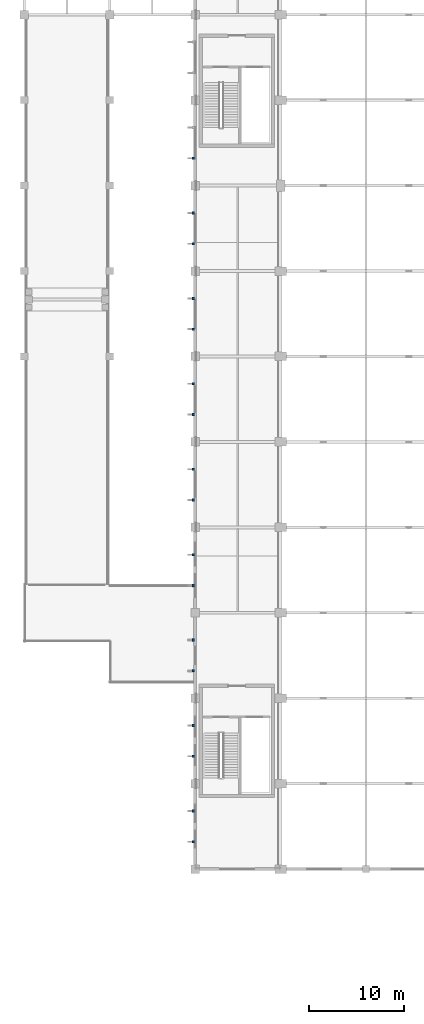
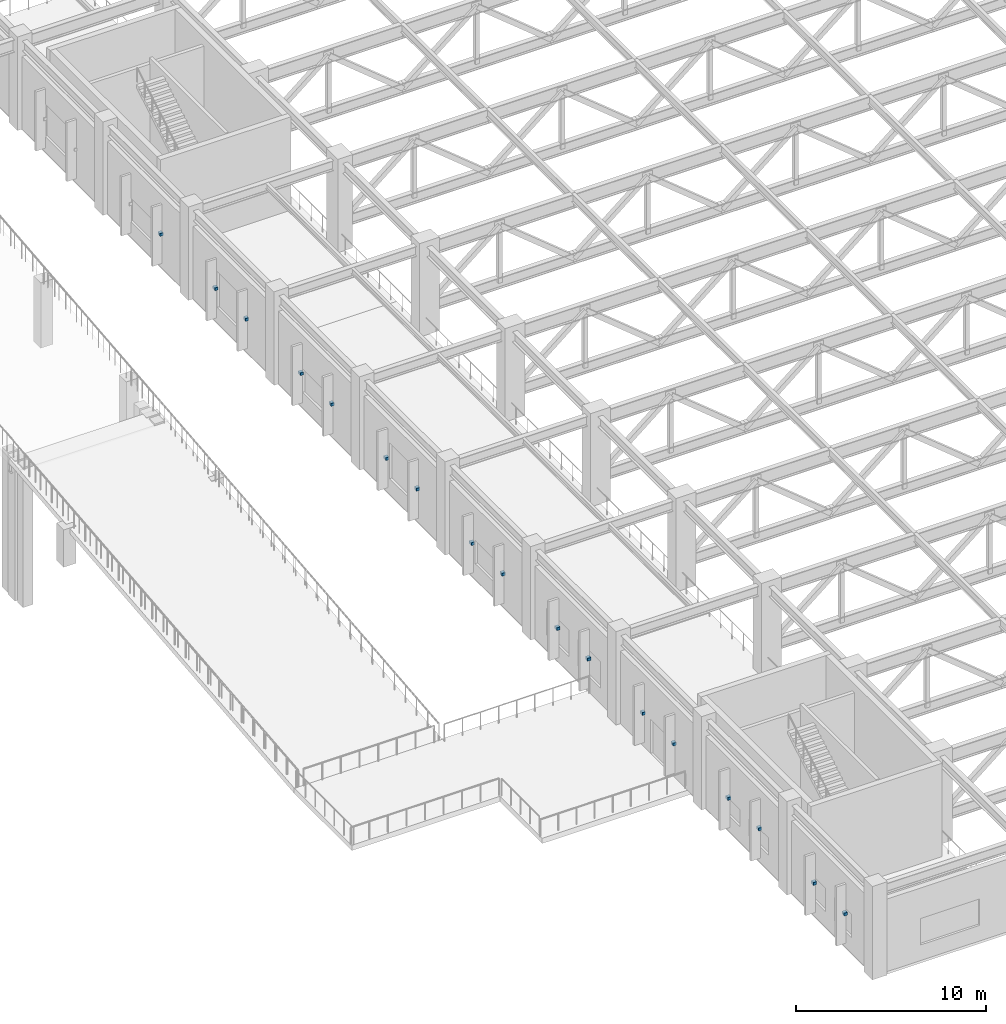
# One storey, part 197 of 223: 17 discrete accessories.
"""IFC4 building model written with IfcOpenShell, lengths in metres."""

from ifc_helpers import new_model, si_unit, direction, frame, origin, origin_2d, place, context, subcontext, project, spatial, rectangle, extrude, material, layer, layer_set, type_object, element, save


model = new_model("IFC4")

# Units and contexts
model_context = context("Model", 3, precision=1e-05, world=origin(), true_north=direction((0.0, 1.0)))
body_context = subcontext(model_context, "Body", "Model", "MODEL_VIEW")
ifc_project = project(units=[si_unit("LENGTHUNIT", "METRE"), si_unit("AREAUNIT", "SQUARE_METRE"), si_unit("VOLUMEUNIT", "CUBIC_METRE"), si_unit("PLANEANGLEUNIT", "RADIAN"), si_unit("MASSUNIT", "GRAM", prefix="KILO")], contexts=[model_context])

# Site, building, storey
site_placement = place(None, origin())
site = spatial("IfcSite", under=ifc_project, at=site_placement, CompositionType="ELEMENT")
building_placement = place(site_placement, origin())
building = spatial("IfcBuilding", under=site, at=building_placement, Name="Dornveld Trade and Exhibition Forum", CompositionType="ELEMENT")
storey_placement = place(building_placement, frame((0.0, 0.0, 6.0)))
storey = spatial("IfcBuildingStorey", under=building, at=storey_placement, Name="L01", CompositionType="ELEMENT", Elevation=6.0)

# Discrete accessories
ifc_material = material(Name="Steel S355J2", Category="steel")
ifc_layer = layer(ifc_material, 0.179931640625)
ifc_layer_set = layer_set([ifc_layer], Name="Steel S355J2")
discrete_accessory_type = type_object("IfcDiscreteAccessoryType", Name="ACC-BRK-STL", PredefinedType="BRACKET", material=ifc_layer_set)
for number, where, z_axis, x_axis, name in (
    (1, (17.7900390625, 42.1201171875, 2.10986328125), (0.0, 0.0, 1.0), (0.0, -1.0, 0.0), "L01 solar fin bracket 21"),
    (2, (17.7900390625, 38.8798828125, 2.10986328125), (0.0, 0.0, 1.0), (0.0, -1.0, 0.0), "L01 solar fin bracket 22"),
    (3, (17.7900390625, 51.1201171875, 2.10986328125), (0.0, 0.0, 1.0), (0.0, -1.0, 0.0), "L01 solar fin bracket 29"),
    (4, (17.7900390625, 47.8798828125, 2.10986328125), (0.0, 0.0, 1.0), (0.0, -1.0, 0.0), "L01 solar fin bracket 30"),
    (5, (17.7900390625, 60.1201171875, 2.10986328125), (0.0, 0.0, 1.0), (0.0, -1.0, 0.0), "L01 solar fin bracket 37"),
    (6, (17.7900390625, 56.8798828125, 2.10986328125), (0.0, 0.0, 1.0), (0.0, -1.0, 0.0), "L01 solar fin bracket 38"),
    (7, (17.7900390625, 69.1201171875, 2.10986328125), (0.0, 0.0, 1.0), (0.0, -1.0, 0.0), "L01 solar fin bracket 45"),
    (8, (17.7900390625, 65.8798828125, 2.10986328125), (0.0, 0.0, 1.0), (0.0, -1.0, 0.0), "L01 solar fin bracket 46"),
    (9, (17.7900390625, 78.1201171875, 2.10986328125), (0.0, 0.0, 1.0), (0.0, -1.0, 0.0), "L01 solar fin bracket 53"),
    (10, (17.7900390625, 74.8798828125, 2.10986328125), (0.0, 0.0, 1.0), (0.0, -1.0, 0.0), "L01 solar fin bracket 54"),
    (11, (17.7900390625, 87.1201171875, 2.10986328125), (0.0, 0.0, 1.0), (0.0, -1.0, 0.0), "L01 solar fin bracket 61"),
    (12, (17.7900390625, 83.8798828125, 2.10986328125), (0.0, 0.0, 1.0), (0.0, -1.0, 0.0), "L01 solar fin bracket 62"),
    (13, (17.7900390625, 96.1201171875, 2.10986328125), (0.0, 0.0, 1.0), (0.0, -1.0, 0.0), "L01 solar fin bracket 69"),
    (14, (17.7900390625, 92.8798828125, 2.10986328125), (0.0, 0.0, 1.0), (0.0, -1.0, 0.0), "L01 solar fin bracket 70"),
    (15, (17.7900390625, 105.1201171875, 2.10986328125), (0.0, 0.0, 1.0), (0.0, -1.0, 0.0), "L01 solar fin bracket 77"),
    (16, (17.7900390625, 101.8798828125, 2.10986328125), (0.0, 0.0, 1.0), (0.0, -1.0, 0.0), "L01 solar fin bracket 78"),
    (17, (17.7900390625, 110.8798828125, 2.10986328125), (0.0, 0.0, 1.0), (0.0, -1.0, 0.0), "L01 solar fin bracket 84"),
):
    element("IfcDiscreteAccessory", number, at=place(storey_placement, frame(where, z_axis=z_axis, x_axis=x_axis)), inside=storey, type_object=discrete_accessory_type, Name=name, PredefinedType="BRACKET", context=body_context, shape_type="SweptSolid", body=[
        extrude(rectangle(XDim=0.239990234375, YDim=0.199951171875, at=origin_2d()), origin(), (0.0, 0.0, 1.0), 0.179931640625),
    ])

save(model, "model.ifc")
